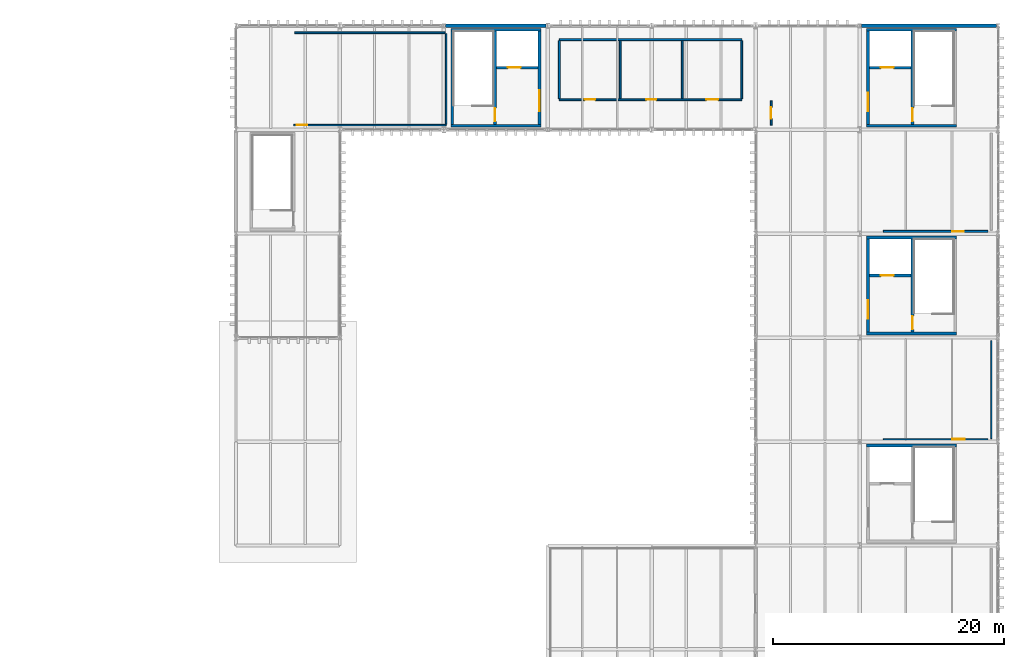
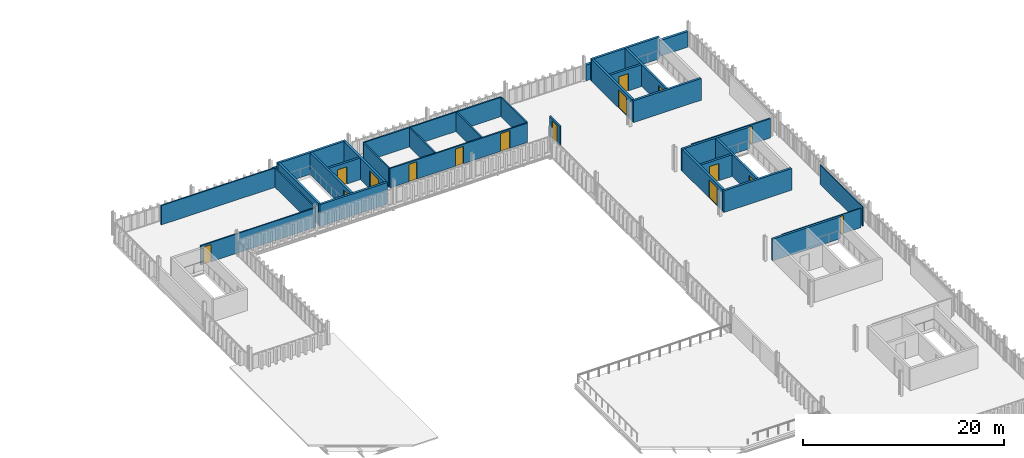
# One storey, part 54 of 58: 32 walls, 16 doors, 16 openings.
"""IFC4 building model written with IfcOpenShell, lengths in metres."""

from ifc_helpers import new_model, si_unit, direction, frame, frame_2d, origin, place, context, subcontext, project, spatial, rectangle, extrude, material, layer, layer_set, type_object, element, fill, save


model = new_model("IFC4")

# Units and contexts
model_context = context("Model", 3, precision=1e-05, world=origin(), true_north=direction((0.0, 1.0)))
body_context = subcontext(model_context, "Body", "Model", "MODEL_VIEW")
ifc_project = project(units=[si_unit("LENGTHUNIT", "METRE"), si_unit("AREAUNIT", "SQUARE_METRE"), si_unit("VOLUMEUNIT", "CUBIC_METRE"), si_unit("PLANEANGLEUNIT", "RADIAN"), si_unit("MASSUNIT", "GRAM", prefix="KILO")], contexts=[model_context])

# Site, building, storey
site_placement = place(None, origin())
site = spatial("IfcSite", under=ifc_project, at=site_placement, CompositionType="ELEMENT")
building_placement = place(site_placement, origin())
building = spatial("IfcBuilding", under=site, at=building_placement, Name="Barlavento Convention Centre", CompositionType="ELEMENT")
storey_placement = place(building_placement, frame((0.0, 0.0, 26.800048828125)))
storey = spatial("IfcBuildingStorey", under=building, at=storey_placement, Name="L05", CompositionType="ELEMENT", Elevation=26.800048828125)

# Walls
ifc_material_1 = material(Name="Glazed white architectural terracotta on Concrete C40/50", Category="masonry")
ifc_layer_1 = layer(ifc_material_1, 0.2900390625)
ifc_layer_set_1 = layer_set([ifc_layer_1], Name="ARC-WL-EXT-290")
wall_type_1 = type_object("IfcWallType", Name="ARC-WL-EXT-290", PredefinedType="SOLIDWALL", material=ifc_layer_set_1)
wall_1_placement = place(storey_placement, frame((144.14501953125, 99.0, 0.0), z_axis=(0.0, 0.0, 1.0), x_axis=(1.0, 0.0, 0.0)))
element("IfcWall", 1, at=wall_1_placement, inside=storey, type_object=wall_type_1, Name="L05 exterior wall EW02", PredefinedType="SOLIDWALL", context=body_context, shape_type="SweptSolid", body=[
    extrude(rectangle(XDim=8.7099609375, YDim=0.2900390625, at=frame_2d((4.35498046875, 0.0))), origin(), (0.0, 0.0, 1.0), 1.89990234375),
])
wall_2_placement = place(storey_placement, frame((180.14501953125, 99.0, 0.0), z_axis=(0.0, 0.0, 1.0), x_axis=(1.0, 0.0, 0.0)))
element("IfcWall", 2, at=wall_2_placement, inside=storey, type_object=wall_type_1, Name="L05 exterior wall EW02", PredefinedType="SOLIDWALL", context=body_context, shape_type="SweptSolid", body=[
    extrude(rectangle(XDim=11.7099609375, YDim=0.2900390625, at=frame_2d((5.85498046875, 0.0))), origin(), (0.0, 0.0, 1.0), 1.89990234375),
])

# Wall, opening, door
ifc_material_2 = material(Name="Glazed office partition", Category="glass")
ifc_layer_2 = layer(ifc_material_2, 0.094970703125)
ifc_layer_set_2 = layer_set([ifc_layer_2], Name="ARC-WL-PART-095")
wall_type_2 = type_object("IfcWallType", Name="ARC-WL-PART-095", PredefinedType="PARTITIONING", material=ifc_layer_set_2)
wall_3_placement = place(storey_placement, frame((182.06005859375, 63.199951171875, 0.0), z_axis=(0.0, 0.0, 1.0), x_axis=(1.0, 0.0, 0.0)))
wall_3 = element("IfcWall", 3, at=wall_3_placement, inside=storey, type_object=wall_type_2, Name="L05 interior wall PT-07", PredefinedType="PARTITIONING", context=body_context, shape_type="SweptSolid", body=[
    extrude(rectangle(XDim=9.0400390625, YDim=0.094970703125, at=frame_2d((4.52001953125, 0.0))), origin(), (0.0, 0.0, 1.0), 2.349853515625),
])
opening_1_placement = place(wall_3_placement, frame((5.949951171875, 0.0, 0.0)))
opening_1 = element("IfcOpeningElement", 4, at=opening_1_placement, cuts=wall_3, Name="Opening ID-06", PredefinedType="OPENING", context=body_context, shape_type="SweptSolid", body=[
    extrude(rectangle(XDim=1.080078125, YDim=2.179931640625, at=frame_2d((0.5400390625, 1.08984375))), frame((0.0, 0.057373046875, 0.0), z_axis=(0.0, -1.0, 0.0), x_axis=(1.0, 0.0, 0.0)), (0.0, 0.0, 1.0), 0.114990234375),
])
ifc_material_3 = material(Name="Timber veneer acoustic core", Category="wood")
door_type_1 = type_object("IfcDoorType", Name="ARC-DR-ROOM-1080X2180", OperationType="NOTDEFINED", PredefinedType="DOOR", material=ifc_material_3)
door_1_placement = place(opening_1_placement, origin())
door_1 = element("IfcDoor", 5, at=door_1_placement, inside=storey, type_object=door_type_1, Name="DR-INT-L05-0244 L05 interior door ID-06", OperationType="SINGLE_SWING_RIGHT", OverallHeight=2.179931640625, OverallWidth=1.080078125, PredefinedType="DOOR", context=body_context, shape_type="SweptSolid", body=[
    extrude(rectangle(XDim=1.080078125, YDim=2.179931640625, at=frame_2d((0.5400390625, 1.08984375))), frame((0.0, 0.02490234375, 0.0), z_axis=(0.0, -1.0, 0.0), x_axis=(1.0, 0.0, 0.0)), (0.0, 0.0, 1.0), 0.050048828125),
])
fill(opening_1, door_1)

# Wall
wall_4_placement = place(storey_placement, frame((191.39990234375, 63.257080078125, 0.0), z_axis=(0.0, 0.0, 1.0), x_axis=(0.0, 1.0, 0.0)))
element("IfcWall", 6, at=wall_4_placement, inside=storey, type_object=wall_type_2, Name="L05 interior wall PT-07", PredefinedType="PARTITIONING", context=body_context, shape_type="SweptSolid", body=[
    extrude(rectangle(XDim=8.48583984375, YDim=0.094970703125, at=frame_2d((4.242919921875, 0.0))), origin(), (0.0, 0.0, 1.0), 2.349853515625),
])

# Wall, opening, door
ifc_material_4 = material(Name="Insulated gypsum partition")
ifc_layer_3 = layer(ifc_material_4, 0.139892578125)
ifc_layer_set_3 = layer_set([ifc_layer_3], Name="ARC-WL-PART-140")
wall_type_3 = type_object("IfcWallType", Name="ARC-WL-PART-140", PredefinedType="PARTITIONING", material=ifc_layer_set_3)
wall_5_placement = place(storey_placement, frame((131.0, 90.39990234375, 0.0), z_axis=(0.0, 0.0, 1.0), x_axis=(1.0, 0.0, 0.0)))
wall_5 = element("IfcWall", 7, at=wall_5_placement, inside=storey, type_object=wall_type_3, Name="L05 interior wall PT-04", PredefinedType="PARTITIONING", context=body_context, shape_type="SweptSolid", body=[
    extrude(rectangle(XDim=13.199951171875, YDim=0.139892578125, at=frame_2d((6.60009765625, 0.0))), origin(), (0.0, 0.0, 1.0), 2.349853515625),
])
opening_2_placement = place(wall_5_placement, frame((0.25, 0.0, 0.0)))
opening_2 = element("IfcOpeningElement", 8, at=opening_2_placement, cuts=wall_5, Name="Opening ID-09", PredefinedType="OPENING", context=body_context, shape_type="SweptSolid", body=[
    extrude(rectangle(XDim=0.93994140625, YDim=2.10009765625, at=frame_2d((0.469970703125, 1.050048828125))), frame((0.0, 0.079833984375, 0.0), z_axis=(0.0, -1.0, 0.0), x_axis=(1.0, 0.0, 0.0)), (0.0, 0.0, 1.0), 0.159912109375),
])
door_type_2 = type_object("IfcDoorType", Name="ARC-DR-ROOM-940X2100", OperationType="NOTDEFINED", PredefinedType="DOOR", material=ifc_material_3)
door_2_placement = place(opening_2_placement, origin())
door_2 = element("IfcDoor", 9, at=door_2_placement, inside=storey, type_object=door_type_2, Name="DR-INT-L05-0243 L05 interior door ID-09", OperationType="SINGLE_SWING_LEFT", OverallHeight=2.10009765625, OverallWidth=0.93994140625, PredefinedType="DOOR", context=body_context, shape_type="SweptSolid", body=[
    extrude(rectangle(XDim=0.93994140625, YDim=2.10009765625, at=frame_2d((0.469970703125, 1.050048828125))), frame((0.0, 0.02490234375, 0.0), z_axis=(0.0, -1.0, 0.0), x_axis=(1.0, 0.0, 0.0)), (0.0, 0.0, 1.0), 0.050048828125),
])
fill(opening_2, door_2)

# Walls
wall_6_placement = place(storey_placement, frame((131.083984375, 98.39990234375, 0.0), z_axis=(0.0, 0.0, 1.0), x_axis=(1.0, 0.0, 0.0)))
element("IfcWall", 10, at=wall_6_placement, inside=storey, type_object=wall_type_3, Name="L05 interior wall PT-04", PredefinedType="PARTITIONING", context=body_context, shape_type="SweptSolid", body=[
    extrude(rectangle(XDim=13.031982421875, YDim=0.139892578125, at=frame_2d((6.51611328125, 0.0))), origin(), (0.0, 0.0, 1.0), 2.349853515625),
])
wall_7_placement = place(storey_placement, frame((144.199951171875, 90.48388671875, 0.0), z_axis=(0.0, 0.0, 1.0), x_axis=(0.0, 1.0, 0.0)))
element("IfcWall", 11, at=wall_7_placement, inside=storey, type_object=wall_type_3, Name="L05 interior wall PT-04", PredefinedType="PARTITIONING", context=body_context, shape_type="SweptSolid", body=[
    extrude(rectangle(XDim=7.83203125, YDim=0.139892578125, at=frame_2d((3.916015625, 0.0))), origin(), (0.0, 0.0, 1.0), 2.349853515625),
])

# Wall, opening, door
ifc_material_5 = material(Name="Metal stud acoustic partition")
ifc_layer_4 = layer(ifc_material_5, 0.155029296875)
ifc_layer_set_4 = layer_set([ifc_layer_4], Name="ARC-WL-PART-155")
wall_type_4 = type_object("IfcWallType", Name="ARC-WL-PART-155", PredefinedType="PARTITIONING", material=ifc_layer_set_4)
wall_8_placement = place(storey_placement, frame((172.340087890625, 90.39990234375, 0.0), z_axis=(0.0, 0.0, 1.0), x_axis=(0.0, 1.0, 0.0)))
wall_8 = element("IfcWall", 12, at=wall_8_placement, inside=storey, type_object=wall_type_4, Name="L05 interior wall PT-03", PredefinedType="PARTITIONING", context=body_context, shape_type="SweptSolid", body=[
    extrude(rectangle(XDim=2.10009765625, YDim=0.155029296875, at=frame_2d((1.050048828125, 0.0))), origin(), (0.0, 0.0, 1.0), 2.349853515625),
])
opening_3_placement = place(wall_8_placement, frame((0.550048828125, 0.0, 0.0)))
opening_3 = element("IfcOpeningElement", 13, at=opening_3_placement, cuts=wall_8, Name="Opening ID-08", PredefinedType="OPENING", context=body_context, shape_type="SweptSolid", body=[
    extrude(rectangle(XDim=0.97998046875, YDim=2.1201171875, at=frame_2d((0.489990234375, 1.06005859375))), frame((0.0, 0.08740234375, 0.0), z_axis=(0.0, -1.0, 0.0), x_axis=(1.0, 0.0, 0.0)), (0.0, 0.0, 1.0), 0.175048828125),
])
door_type_3 = type_object("IfcDoorType", Name="ARC-DR-ROOM-980X2120", OperationType="NOTDEFINED", PredefinedType="DOOR", material=ifc_material_3)
door_3_placement = place(opening_3_placement, origin())
door_3 = element("IfcDoor", 14, at=door_3_placement, inside=storey, type_object=door_type_3, Name="DR-INT-L05-0242 L05 interior door ID-08", OperationType="SINGLE_SWING_RIGHT", OverallHeight=2.1201171875, OverallWidth=0.97998046875, PredefinedType="DOOR", context=body_context, shape_type="SweptSolid", body=[
    extrude(rectangle(XDim=0.97998046875, YDim=2.1201171875, at=frame_2d((0.489990234375, 1.06005859375))), frame((0.0, 0.02490234375, 0.0), z_axis=(0.0, -1.0, 0.0), x_axis=(1.0, 0.0, 0.0)), (0.0, 0.0, 1.0), 0.050048828125),
])
fill(opening_3, door_3)

ifc_material_6 = material(Name="Fire-rated gypsum partition")
ifc_layer_5 = layer(ifc_material_6, 0.169921875)
ifc_layer_set_5 = layer_set([ifc_layer_5], Name="ARC-WL-PART-170")
wall_type_5 = type_object("IfcWallType", Name="ARC-WL-PART-170", PredefinedType="PARTITIONING", material=ifc_layer_set_5)
wall_9_placement = place(storey_placement, frame((182.06005859375, 81.199951171875, 0.0), z_axis=(0.0, 0.0, 1.0), x_axis=(1.0, 0.0, 0.0)))
wall_9 = element("IfcWall", 15, at=wall_9_placement, inside=storey, type_object=wall_type_5, Name="L05 interior wall PT-02", PredefinedType="PARTITIONING", context=body_context, shape_type="SweptSolid", body=[
    extrude(rectangle(XDim=9.0400390625, YDim=0.169921875, at=frame_2d((4.52001953125, 0.0))), origin(), (0.0, 0.0, 1.0), 2.349853515625),
])
opening_4_placement = place(wall_9_placement, frame((5.949951171875, 0.0, 0.0)))
opening_4 = element("IfcOpeningElement", 16, at=opening_4_placement, cuts=wall_9, Name="Opening ID-07", PredefinedType="OPENING", context=body_context, shape_type="SweptSolid", body=[
    extrude(rectangle(XDim=1.02001953125, YDim=2.14990234375, at=frame_2d((0.510009765625, 1.074951171875))), frame((0.0, 0.094970703125, 0.0), z_axis=(0.0, -1.0, 0.0), x_axis=(1.0, 0.0, 0.0)), (0.0, 0.0, 1.0), 0.18994140625),
])
door_type_4 = type_object("IfcDoorType", Name="ARC-DR-ROOM-1020X2150", OperationType="NOTDEFINED", PredefinedType="DOOR", material=ifc_material_3)
door_4_placement = place(opening_4_placement, origin())
door_4 = element("IfcDoor", 17, at=door_4_placement, inside=storey, type_object=door_type_4, Name="DR-INT-L05-0245 L05 interior door ID-07", OperationType="SINGLE_SWING_LEFT", OverallHeight=2.14990234375, OverallWidth=1.02001953125, PredefinedType="DOOR", context=body_context, shape_type="SweptSolid", body=[
    extrude(rectangle(XDim=1.02001953125, YDim=2.14990234375, at=frame_2d((0.510009765625, 1.074951171875))), frame((0.0, 0.02490234375, 0.0), z_axis=(0.0, -1.0, 0.0), x_axis=(1.0, 0.0, 0.0)), (0.0, 0.0, 1.0), 0.050048828125),
])
fill(opening_4, door_4)

# Wall, openings, doors
ifc_material_7 = material(Name="Sanitary service chase plumbing wall")
ifc_layer_6 = layer(ifc_material_7, 0.159912109375)
ifc_layer_set_6 = layer_set([ifc_layer_6], Name="ARC-WL-PLMB-160")
wall_type_6 = type_object("IfcWallType", Name="ARC-WL-PLMB-160", PredefinedType="PLUMBINGWALL", material=ifc_layer_set_6)
wall_10_placement = place(storey_placement, frame((154.0, 92.60009765625, 0.0), z_axis=(0.0, 0.0, 1.0), x_axis=(1.0, 0.0, 0.0)))
wall_10 = element("IfcWall", 18, at=wall_10_placement, inside=storey, type_object=wall_type_6, Name="L05 interior wall PW-03", PredefinedType="PLUMBINGWALL", context=body_context, shape_type="SweptSolid", body=[
    extrude(rectangle(XDim=15.800048828125, YDim=0.159912109375, at=frame_2d((7.89990234375, 0.0))), origin(), (0.0, 0.0, 1.0), 2.349853515625),
])
opening_5_placement = place(wall_10_placement, frame((2.18994140625, 0.0, 0.0)))
opening_5 = element("IfcOpeningElement", 19, at=opening_5_placement, cuts=wall_10, Name="Opening ID-10", PredefinedType="OPENING", context=body_context, shape_type="SweptSolid", body=[
    extrude(rectangle(XDim=0.89990234375, YDim=2.10009765625, at=frame_2d((0.449951171875, 1.050048828125))), frame((0.0, 0.08984375, 0.0), z_axis=(0.0, -1.0, 0.0), x_axis=(1.0, 0.0, 0.0)), (0.0, 0.0, 1.0), 0.179931640625),
])
opening_6_placement = place(wall_10_placement, frame((7.510009765625, 0.0, 0.0)))
opening_6 = element("IfcOpeningElement", 20, at=opening_6_placement, cuts=wall_10, Name="Opening ID-10", PredefinedType="OPENING", context=body_context, shape_type="SweptSolid", body=[
    extrude(rectangle(XDim=0.89990234375, YDim=2.10009765625, at=frame_2d((0.449951171875, 1.050048828125))), frame((0.0, 0.08984375, 0.0), z_axis=(0.0, -1.0, 0.0), x_axis=(1.0, 0.0, 0.0)), (0.0, 0.0, 1.0), 0.179931640625),
])
opening_7_placement = place(wall_10_placement, frame((12.699951171875, 0.0, 0.0)))
opening_7 = element("IfcOpeningElement", 21, at=opening_7_placement, cuts=wall_10, Name="Opening ID-11", PredefinedType="OPENING", context=body_context, shape_type="SweptSolid", body=[
    extrude(rectangle(XDim=1.0400390625, YDim=2.14990234375, at=frame_2d((0.52001953125, 1.074951171875))), frame((0.0, 0.08984375, 0.0), z_axis=(0.0, -1.0, 0.0), x_axis=(1.0, 0.0, 0.0)), (0.0, 0.0, 1.0), 0.179931640625),
])
door_type_5 = type_object("IfcDoorType", Name="ARC-DR-AWC-1040X2150", OperationType="NOTDEFINED", PredefinedType="DOOR", material=ifc_material_3)
door_5_placement = place(opening_7_placement, origin())
door_5 = element("IfcDoor", 22, at=door_5_placement, inside=storey, type_object=door_type_5, Name="DR-INT-L05-0204 L05 Accessible Executive WC entry door", OperationType="SINGLE_SWING_RIGHT", OverallHeight=2.14990234375, OverallWidth=1.0400390625, PredefinedType="DOOR", context=body_context, shape_type="SweptSolid", body=[
    extrude(rectangle(XDim=1.0400390625, YDim=2.14990234375, at=frame_2d((0.52001953125, 1.074951171875))), frame((0.0, 0.02490234375, 0.0), z_axis=(0.0, -1.0, 0.0), x_axis=(1.0, 0.0, 0.0)), (0.0, 0.0, 1.0), 0.050048828125),
])
fill(opening_7, door_5)
door_type_6 = type_object("IfcDoorType", Name="ARC-DR-WC-900X2100", OperationType="NOTDEFINED", PredefinedType="DOOR", material=ifc_material_3)
door_6_placement = place(opening_5_placement, origin())
door_6 = element("IfcDoor", 23, at=door_6_placement, inside=storey, type_object=door_type_6, Name="DR-INT-L05-0202 L05 Male Executive WC entry door", OperationType="SINGLE_SWING_RIGHT", OverallHeight=2.10009765625, OverallWidth=0.89990234375, PredefinedType="DOOR", context=body_context, shape_type="SweptSolid", body=[
    extrude(rectangle(XDim=0.89990234375, YDim=2.10009765625, at=frame_2d((0.449951171875, 1.050048828125))), frame((0.0, 0.02490234375, 0.0), z_axis=(0.0, -1.0, 0.0), x_axis=(1.0, 0.0, 0.0)), (0.0, 0.0, 1.0), 0.050048828125),
])
fill(opening_5, door_6)
door_7_placement = place(opening_6_placement, origin())
door_7 = element("IfcDoor", 24, at=door_7_placement, inside=storey, type_object=door_type_6, Name="DR-INT-L05-0203 L05 Female Executive WC entry door", OperationType="SINGLE_SWING_LEFT", OverallHeight=2.10009765625, OverallWidth=0.89990234375, PredefinedType="DOOR", context=body_context, shape_type="SweptSolid", body=[
    extrude(rectangle(XDim=0.89990234375, YDim=2.10009765625, at=frame_2d((0.449951171875, 1.050048828125))), frame((0.0, 0.02490234375, 0.0), z_axis=(0.0, -1.0, 0.0), x_axis=(1.0, 0.0, 0.0)), (0.0, 0.0, 1.0), 0.050048828125),
])
fill(opening_6, door_7)

# Walls
wall_11_placement = place(storey_placement, frame((154.0, 97.800048828125, 0.0), z_axis=(0.0, 0.0, 1.0), x_axis=(1.0, 0.0, 0.0)))
element("IfcWall", 25, at=wall_11_placement, inside=storey, type_object=wall_type_6, Name="L05 interior wall PW-03", PredefinedType="PLUMBINGWALL", context=body_context, shape_type="SweptSolid", body=[
    extrude(rectangle(XDim=15.800048828125, YDim=0.159912109375, at=frame_2d((7.89990234375, 0.0))), origin(), (0.0, 0.0, 1.0), 2.349853515625),
])
for number, where, z_axis, x_axis, name in (
    (26, (154.0, 92.68798828125, 0.0), (0.0, 0.0, 1.0), (0.0, 1.0, 0.0), "L05 interior wall PW-03"),
    (27, (159.280029296875, 92.68798828125, 0.0), (0.0, 0.0, 1.0), (0.0, 1.0, 0.0), "L05 interior wall PW-03"),
    (28, (164.639892578125, 92.68798828125, 0.0), (0.0, 0.0, 1.0), (0.0, 1.0, 0.0), "L05 interior wall PW-03"),
    (29, (169.800048828125, 92.68798828125, 0.0), (0.0, 0.0, 1.0), (0.0, 1.0, 0.0), "L05 interior wall PW-03"),
):
    element("IfcWall", number, at=place(storey_placement, frame(where, z_axis=z_axis, x_axis=x_axis)), inside=storey, type_object=wall_type_6, Name=name, PredefinedType="PLUMBINGWALL", context=body_context, shape_type="SweptSolid", body=[
        extrude(rectangle(XDim=5.02392578125, YDim=0.159912109375, at=frame_2d((2.511962890625, 0.0))), origin(), (0.0, 0.0, 1.0), 2.349853515625),
    ])
ifc_material_8 = material(Name="Concrete C50/60", Category="concrete")
ifc_layer_7 = layer(ifc_material_8, 0.25)
ifc_layer_set_7 = layer_set([ifc_layer_7], Name="STR-WL-CORE-250")
wall_type_7 = type_object("IfcWallType", Name="STR-WL-CORE-250", PredefinedType="SHEAR", material=ifc_layer_set_7)
wall_12_placement = place(storey_placement, frame((180.60009765625, 62.655029296875, 0.0), z_axis=(0.0, 0.0, 1.0), x_axis=(1.0, 0.0, 0.0)))
element("IfcWall", 30, at=wall_12_placement, inside=storey, type_object=wall_type_7, Name="L05 interior wall CW-02", PredefinedType="SHEAR", context=body_context, shape_type="SweptSolid", body=[
    extrude(rectangle(XDim=7.7998046875, YDim=0.25, at=frame_2d((3.89990234375, 0.0))), origin(), (0.0, 0.0, 1.0), 2.639892578125),
])

# Wall, opening, door
wall_13_placement = place(storey_placement, frame((180.72509765625, 72.469970703125, 0.0), z_axis=(0.0, 0.0, 1.0), x_axis=(0.0, 1.0, 0.0)))
wall_13 = element("IfcWall", 31, at=wall_13_placement, inside=storey, type_object=wall_type_7, Name="L05 interior wall CW-02", PredefinedType="SHEAR", context=body_context, shape_type="SweptSolid", body=[
    extrude(rectangle(XDim=8.06005859375, YDim=0.25, at=frame_2d((4.030029296875, 0.0))), origin(), (0.0, 0.0, 1.0), 2.639892578125),
])
opening_8_placement = place(wall_13_placement, frame((1.14990234375, 0.0, 0.0)))
opening_8 = element("IfcOpeningElement", 32, at=opening_8_placement, cuts=wall_13, Name="Opening FD-02", PredefinedType="OPENING", context=body_context, shape_type="SweptSolid", body=[
    extrude(rectangle(XDim=1.60009765625, YDim=2.199951171875, at=frame_2d((0.800048828125, 1.10009765625))), frame((0.0, 0.135009765625, 0.0), z_axis=(0.0, -1.0, 0.0), x_axis=(1.0, 0.0, 0.0)), (0.0, 0.0, 1.0), 0.27001953125),
])
ifc_material_9 = material(Name="Painted galvanized steel", Category="steel")
door_type_7 = type_object("IfcDoorType", Name="ARC-DR-FIRE-1600X2200", OperationType="DOUBLE_DOOR_SINGLE_SWING", PredefinedType="DOOR", material=ifc_material_9)
door_8_placement = place(opening_8_placement, origin())
door_8 = element("IfcDoor", 33, at=door_8_placement, inside=storey, type_object=door_type_7, Name="DR-INT-L05-0117 L05 LP5 lobby fire door", OperationType="DOUBLE_DOOR_SINGLE_SWING", OverallHeight=2.199951171875, OverallWidth=1.60009765625, PredefinedType="DOOR", context=body_context, shape_type="SweptSolid", body=[
    extrude(rectangle(XDim=1.60009765625, YDim=2.199951171875, at=frame_2d((0.800048828125, 1.10009765625))), frame((0.0, 0.02490234375, 0.0), z_axis=(0.0, -1.0, 0.0), x_axis=(1.0, 0.0, 0.0)), (0.0, 0.0, 1.0), 0.050048828125),
])
fill(opening_8, door_8)

# Walls
for number, where, z_axis, x_axis, name in (
    (34, (180.60009765625, 72.344970703125, 0.0), (0.0, 0.0, 1.0), (1.0, 0.0, 0.0), "L05 interior wall CW-02"),
    (35, (180.60009765625, 80.655029296875, 0.0), (0.0, 0.0, 1.0), (1.0, 0.0, 0.0), "L05 interior wall CW-02"),
):
    element("IfcWall", number, at=place(storey_placement, frame(where, z_axis=z_axis, x_axis=x_axis)), inside=storey, type_object=wall_type_7, Name=name, PredefinedType="SHEAR", context=body_context, shape_type="SweptSolid", body=[
        extrude(rectangle(XDim=7.7998046875, YDim=0.25, at=frame_2d((3.89990234375, 0.0))), origin(), (0.0, 0.0, 1.0), 2.639892578125),
    ])

# Wall, opening, door
wall_14_placement = place(storey_placement, frame((184.5849609375, 72.469970703125, 0.0), z_axis=(0.0, 0.0, 1.0), x_axis=(0.0, 1.0, 0.0)))
wall_14 = element("IfcWall", 36, at=wall_14_placement, inside=storey, type_object=wall_type_7, Name="L05 interior wall CW-02", PredefinedType="SHEAR", context=body_context, shape_type="SweptSolid", body=[
    extrude(rectangle(XDim=8.06005859375, YDim=0.25, at=frame_2d((4.030029296875, 0.0))), origin(), (0.0, 0.0, 1.0), 2.639892578125),
])
opening_9_placement = place(wall_14_placement, frame((0.25, 0.0, 0.0)))
opening_9 = element("IfcOpeningElement", 37, at=opening_9_placement, cuts=wall_14, Name="Opening FD-03", PredefinedType="OPENING", context=body_context, shape_type="SweptSolid", body=[
    extrude(rectangle(XDim=1.14990234375, YDim=2.14990234375, at=frame_2d((0.574951171875, 1.074951171875))), frame((0.0, 0.135009765625, 0.0), z_axis=(0.0, -1.0, 0.0), x_axis=(1.0, 0.0, 0.0)), (0.0, 0.0, 1.0), 0.27001953125),
])
door_type_8 = type_object("IfcDoorType", Name="ARC-DR-FIRE-1150X2150", OperationType="NOTDEFINED", PredefinedType="DOOR", material=ifc_material_9)
door_9_placement = place(opening_9_placement, origin())
door_9 = element("IfcDoor", 38, at=door_9_placement, inside=storey, type_object=door_type_8, Name="DR-INT-L05-0115 L05 ST07 stair fire door FD-03", OperationType="SINGLE_SWING_LEFT", OverallHeight=2.14990234375, OverallWidth=1.14990234375, PredefinedType="DOOR", context=body_context, shape_type="SweptSolid", body=[
    extrude(rectangle(XDim=1.14990234375, YDim=2.14990234375, at=frame_2d((0.574951171875, 1.074951171875))), frame((0.0, 0.02490234375, 0.0), z_axis=(0.0, -1.0, 0.0), x_axis=(1.0, 0.0, 0.0)), (0.0, 0.0, 1.0), 0.050048828125),
])
fill(opening_9, door_9)

wall_15_placement = place(storey_placement, frame((180.85009765625, 77.3701171875, 0.0), z_axis=(0.0, 0.0, 1.0), x_axis=(1.0, 0.0, 0.0)))
wall_15 = element("IfcWall", 39, at=wall_15_placement, inside=storey, type_object=wall_type_7, Name="L05 interior wall CW-02", PredefinedType="SHEAR", context=body_context, shape_type="SweptSolid", body=[
    extrude(rectangle(XDim=3.60986328125, YDim=0.25, at=frame_2d((1.804931640625, 0.0))), origin(), (0.0, 0.0, 1.0), 2.639892578125),
])
opening_10_placement = place(wall_15_placement, frame((1.0, 0.0, 0.0)))
opening_10 = element("IfcOpeningElement", 40, at=opening_10_placement, cuts=wall_15, Name="Opening LD-02", PredefinedType="OPENING", context=body_context, shape_type="SweptSolid", body=[
    extrude(rectangle(XDim=1.10009765625, YDim=2.10009765625, at=frame_2d((0.550048828125, 1.050048828125))), frame((0.0, 0.135009765625, 0.0), z_axis=(0.0, -1.0, 0.0), x_axis=(1.0, 0.0, 0.0)), (0.0, 0.0, 1.0), 0.27001953125),
])
ifc_material_10 = material(Name="Brushed stainless steel", Category="steel")
door_type_9 = type_object("IfcDoorType", Name="ARC-DR-LIFT-1100X2100", OperationType="DOUBLE_DOOR_SLIDING", PredefinedType="DOOR", material=ifc_material_10)
door_10_placement = place(opening_10_placement, origin())
door_10 = element("IfcDoor", 41, at=door_10_placement, inside=storey, type_object=door_type_9, Name="DR-INT-L05-0116 LP5 lift sliding landing door", OperationType="DOUBLE_DOOR_SLIDING", OverallHeight=2.10009765625, OverallWidth=1.10009765625, PredefinedType="DOOR", context=body_context, shape_type="SweptSolid", body=[
    extrude(rectangle(XDim=1.10009765625, YDim=2.10009765625, at=frame_2d((0.550048828125, 1.050048828125))), frame((0.0, 0.02490234375, 0.0), z_axis=(0.0, -1.0, 0.0), x_axis=(1.0, 0.0, 0.0)), (0.0, 0.0, 1.0), 0.050048828125),
])
fill(opening_10, door_10)

wall_16_placement = place(storey_placement, frame((180.72509765625, 90.469970703125, 0.0), z_axis=(0.0, 0.0, 1.0), x_axis=(0.0, 1.0, 0.0)))
wall_16 = element("IfcWall", 42, at=wall_16_placement, inside=storey, type_object=wall_type_7, Name="L05 interior wall CW-02", PredefinedType="SHEAR", context=body_context, shape_type="SweptSolid", body=[
    extrude(rectangle(XDim=8.06005859375, YDim=0.25, at=frame_2d((4.030029296875, 0.0))), origin(), (0.0, 0.0, 1.0), 2.639892578125),
])
opening_11_placement = place(wall_16_placement, frame((1.14990234375, 0.0, 0.0)))
opening_11 = element("IfcOpeningElement", 43, at=opening_11_placement, cuts=wall_16, Name="Opening FD-02", PredefinedType="OPENING", context=body_context, shape_type="SweptSolid", body=[
    extrude(rectangle(XDim=1.60009765625, YDim=2.199951171875, at=frame_2d((0.800048828125, 1.10009765625))), frame((0.0, 0.135009765625, 0.0), z_axis=(0.0, -1.0, 0.0), x_axis=(1.0, 0.0, 0.0)), (0.0, 0.0, 1.0), 0.27001953125),
])
door_11_placement = place(opening_11_placement, origin())
door_11 = element("IfcDoor", 44, at=door_11_placement, inside=storey, type_object=door_type_7, Name="DR-INT-L05-0138 L05 LP6 lobby fire door", OperationType="DOUBLE_DOOR_SINGLE_SWING", OverallHeight=2.199951171875, OverallWidth=1.60009765625, PredefinedType="DOOR", context=body_context, shape_type="SweptSolid", body=[
    extrude(rectangle(XDim=1.60009765625, YDim=2.199951171875, at=frame_2d((0.800048828125, 1.10009765625))), frame((0.0, 0.02490234375, 0.0), z_axis=(0.0, -1.0, 0.0), x_axis=(1.0, 0.0, 0.0)), (0.0, 0.0, 1.0), 0.050048828125),
])
fill(opening_11, door_11)

# Walls
for number, where, z_axis, x_axis, name in (
    (45, (180.60009765625, 90.344970703125, 0.0), (0.0, 0.0, 1.0), (1.0, 0.0, 0.0), "L05 interior wall CW-02"),
    (46, (180.60009765625, 98.655029296875, 0.0), (0.0, 0.0, 1.0), (1.0, 0.0, 0.0), "L05 interior wall CW-02"),
):
    element("IfcWall", number, at=place(storey_placement, frame(where, z_axis=z_axis, x_axis=x_axis)), inside=storey, type_object=wall_type_7, Name=name, PredefinedType="SHEAR", context=body_context, shape_type="SweptSolid", body=[
        extrude(rectangle(XDim=7.7998046875, YDim=0.25, at=frame_2d((3.89990234375, 0.0))), origin(), (0.0, 0.0, 1.0), 2.639892578125),
    ])

# Wall, opening, door
wall_17_placement = place(storey_placement, frame((184.5849609375, 90.469970703125, 0.0), z_axis=(0.0, 0.0, 1.0), x_axis=(0.0, 1.0, 0.0)))
wall_17 = element("IfcWall", 47, at=wall_17_placement, inside=storey, type_object=wall_type_7, Name="L05 interior wall CW-02", PredefinedType="SHEAR", context=body_context, shape_type="SweptSolid", body=[
    extrude(rectangle(XDim=8.06005859375, YDim=0.25, at=frame_2d((4.030029296875, 0.0))), origin(), (0.0, 0.0, 1.0), 2.639892578125),
])
opening_12_placement = place(wall_17_placement, frame((0.25, 0.0, 0.0)))
opening_12 = element("IfcOpeningElement", 48, at=opening_12_placement, cuts=wall_17, Name="Opening FD-03", PredefinedType="OPENING", context=body_context, shape_type="SweptSolid", body=[
    extrude(rectangle(XDim=1.14990234375, YDim=2.14990234375, at=frame_2d((0.574951171875, 1.074951171875))), frame((0.0, 0.135009765625, 0.0), z_axis=(0.0, -1.0, 0.0), x_axis=(1.0, 0.0, 0.0)), (0.0, 0.0, 1.0), 0.27001953125),
])
door_12_placement = place(opening_12_placement, origin())
door_12 = element("IfcDoor", 49, at=door_12_placement, inside=storey, type_object=door_type_8, Name="DR-INT-L05-0136 L05 ST08 stair fire door FD-03", OperationType="SINGLE_SWING_RIGHT", OverallHeight=2.14990234375, OverallWidth=1.14990234375, PredefinedType="DOOR", context=body_context, shape_type="SweptSolid", body=[
    extrude(rectangle(XDim=1.14990234375, YDim=2.14990234375, at=frame_2d((0.574951171875, 1.074951171875))), frame((0.0, 0.02490234375, 0.0), z_axis=(0.0, -1.0, 0.0), x_axis=(1.0, 0.0, 0.0)), (0.0, 0.0, 1.0), 0.050048828125),
])
fill(opening_12, door_12)

wall_18_placement = place(storey_placement, frame((180.85009765625, 95.3701171875, 0.0), z_axis=(0.0, 0.0, 1.0), x_axis=(1.0, 0.0, 0.0)))
wall_18 = element("IfcWall", 50, at=wall_18_placement, inside=storey, type_object=wall_type_7, Name="L05 interior wall CW-02", PredefinedType="SHEAR", context=body_context, shape_type="SweptSolid", body=[
    extrude(rectangle(XDim=3.60986328125, YDim=0.25, at=frame_2d((1.804931640625, 0.0))), origin(), (0.0, 0.0, 1.0), 2.639892578125),
])
opening_13_placement = place(wall_18_placement, frame((1.0, 0.0, 0.0)))
opening_13 = element("IfcOpeningElement", 51, at=opening_13_placement, cuts=wall_18, Name="Opening LD-02", PredefinedType="OPENING", context=body_context, shape_type="SweptSolid", body=[
    extrude(rectangle(XDim=1.10009765625, YDim=2.10009765625, at=frame_2d((0.550048828125, 1.050048828125))), frame((0.0, 0.135009765625, 0.0), z_axis=(0.0, -1.0, 0.0), x_axis=(1.0, 0.0, 0.0)), (0.0, 0.0, 1.0), 0.27001953125),
])
door_13_placement = place(opening_13_placement, origin())
door_13 = element("IfcDoor", 52, at=door_13_placement, inside=storey, type_object=door_type_9, Name="DR-INT-L05-0137 LP6 lift sliding landing door", OperationType="DOUBLE_DOOR_SLIDING", OverallHeight=2.10009765625, OverallWidth=1.10009765625, PredefinedType="DOOR", context=body_context, shape_type="SweptSolid", body=[
    extrude(rectangle(XDim=1.10009765625, YDim=2.10009765625, at=frame_2d((0.550048828125, 1.050048828125))), frame((0.0, 0.02490234375, 0.0), z_axis=(0.0, -1.0, 0.0), x_axis=(1.0, 0.0, 0.0)), (0.0, 0.0, 1.0), 0.050048828125),
])
fill(opening_13, door_13)

# Wall
wall_19_placement = place(storey_placement, frame((144.72509765625, 90.469970703125, 0.0), z_axis=(0.0, 0.0, 1.0), x_axis=(0.0, 1.0, 0.0)))
element("IfcWall", 53, at=wall_19_placement, inside=storey, type_object=wall_type_7, Name="L05 interior wall CW-02", PredefinedType="SHEAR", context=body_context, shape_type="SweptSolid", body=[
    extrude(rectangle(XDim=8.06005859375, YDim=0.25, at=frame_2d((4.030029296875, 0.0))), origin(), (0.0, 0.0, 1.0), 2.639892578125),
])

# Wall, opening, door
wall_20_placement = place(storey_placement, frame((152.27490234375, 90.469970703125, 0.0), z_axis=(0.0, 0.0, 1.0), x_axis=(0.0, 1.0, 0.0)))
wall_20 = element("IfcWall", 54, at=wall_20_placement, inside=storey, type_object=wall_type_7, Name="L05 interior wall CW-02", PredefinedType="SHEAR", context=body_context, shape_type="SweptSolid", body=[
    extrude(rectangle(XDim=8.06005859375, YDim=0.25, at=frame_2d((4.030029296875, 0.0))), origin(), (0.0, 0.0, 1.0), 2.639892578125),
])
opening_14_placement = place(wall_20_placement, frame((1.14990234375, 0.0, 0.0)))
opening_14 = element("IfcOpeningElement", 55, at=opening_14_placement, cuts=wall_20, Name="Opening FD-01", PredefinedType="OPENING", context=body_context, shape_type="SweptSolid", body=[
    extrude(rectangle(XDim=1.800048828125, YDim=2.199951171875, at=frame_2d((0.89990234375, 1.10009765625))), frame((0.0, 0.135009765625, 0.0), z_axis=(0.0, -1.0, 0.0), x_axis=(1.0, 0.0, 0.0)), (0.0, 0.0, 1.0), 0.27001953125),
])
door_type_10 = type_object("IfcDoorType", Name="ARC-DR-FIRE-1800X2200", OperationType="DOUBLE_DOOR_SINGLE_SWING", PredefinedType="DOOR", material=ifc_material_9)
door_14_placement = place(opening_14_placement, origin())
door_14 = element("IfcDoor", 56, at=door_14_placement, inside=storey, type_object=door_type_10, Name="DR-INT-L05-0159 L05 FL1 lobby fire door", OperationType="DOUBLE_DOOR_SINGLE_SWING", OverallHeight=2.199951171875, OverallWidth=1.800048828125, PredefinedType="DOOR", context=body_context, shape_type="SweptSolid", body=[
    extrude(rectangle(XDim=1.800048828125, YDim=2.199951171875, at=frame_2d((0.89990234375, 1.10009765625))), frame((0.0, 0.02490234375, 0.0), z_axis=(0.0, -1.0, 0.0), x_axis=(1.0, 0.0, 0.0)), (0.0, 0.0, 1.0), 0.050048828125),
])
fill(opening_14, door_14)

# Walls
for number, where, z_axis, x_axis, name in (
    (57, (144.60009765625, 90.344970703125, 0.0), (0.0, 0.0, 1.0), (1.0, 0.0, 0.0), "L05 interior wall CW-02"),
    (58, (144.60009765625, 98.655029296875, 0.0), (0.0, 0.0, 1.0), (1.0, 0.0, 0.0), "L05 interior wall CW-02"),
):
    element("IfcWall", number, at=place(storey_placement, frame(where, z_axis=z_axis, x_axis=x_axis)), inside=storey, type_object=wall_type_7, Name=name, PredefinedType="SHEAR", context=body_context, shape_type="SweptSolid", body=[
        extrude(rectangle(XDim=7.7998046875, YDim=0.25, at=frame_2d((3.89990234375, 0.0))), origin(), (0.0, 0.0, 1.0), 2.639892578125),
    ])

# Wall, opening, door
wall_21_placement = place(storey_placement, frame((148.4150390625, 90.469970703125, 0.0), z_axis=(0.0, 0.0, 1.0), x_axis=(0.0, 1.0, 0.0)))
wall_21 = element("IfcWall", 59, at=wall_21_placement, inside=storey, type_object=wall_type_7, Name="L05 interior wall CW-02", PredefinedType="SHEAR", context=body_context, shape_type="SweptSolid", body=[
    extrude(rectangle(XDim=8.06005859375, YDim=0.25, at=frame_2d((4.030029296875, 0.0))), origin(), (0.0, 0.0, 1.0), 2.639892578125),
])
opening_15_placement = place(wall_21_placement, frame((0.25, 0.0, 0.0)))
opening_15 = element("IfcOpeningElement", 60, at=opening_15_placement, cuts=wall_21, Name="Opening FD-03", PredefinedType="OPENING", context=body_context, shape_type="SweptSolid", body=[
    extrude(rectangle(XDim=1.14990234375, YDim=2.14990234375, at=frame_2d((0.574951171875, 1.074951171875))), frame((0.0, 0.135009765625, 0.0), z_axis=(0.0, -1.0, 0.0), x_axis=(1.0, 0.0, 0.0)), (0.0, 0.0, 1.0), 0.27001953125),
])
door_15_placement = place(opening_15_placement, origin())
door_15 = element("IfcDoor", 61, at=door_15_placement, inside=storey, type_object=door_type_8, Name="DR-INT-L05-0157 L05 ST09 stair fire door FD-03", OperationType="SINGLE_SWING_LEFT", OverallHeight=2.14990234375, OverallWidth=1.14990234375, PredefinedType="DOOR", context=body_context, shape_type="SweptSolid", body=[
    extrude(rectangle(XDim=1.14990234375, YDim=2.14990234375, at=frame_2d((0.574951171875, 1.074951171875))), frame((0.0, 0.02490234375, 0.0), z_axis=(0.0, -1.0, 0.0), x_axis=(1.0, 0.0, 0.0)), (0.0, 0.0, 1.0), 0.050048828125),
])
fill(opening_15, door_15)

wall_22_placement = place(storey_placement, frame((148.5400390625, 95.3701171875, 0.0), z_axis=(0.0, 0.0, 1.0), x_axis=(1.0, 0.0, 0.0)))
wall_22 = element("IfcWall", 62, at=wall_22_placement, inside=storey, type_object=wall_type_7, Name="L05 interior wall CW-02", PredefinedType="SHEAR", context=body_context, shape_type="SweptSolid", body=[
    extrude(rectangle(XDim=3.60986328125, YDim=0.25, at=frame_2d((1.804931640625, 0.0))), origin(), (0.0, 0.0, 1.0), 2.639892578125),
])
opening_16_placement = place(wall_22_placement, frame((1.0, 0.0, 0.0)))
opening_16 = element("IfcOpeningElement", 63, at=opening_16_placement, cuts=wall_22, Name="Opening LD-02", PredefinedType="OPENING", context=body_context, shape_type="SweptSolid", body=[
    extrude(rectangle(XDim=1.10009765625, YDim=2.10009765625, at=frame_2d((0.550048828125, 1.050048828125))), frame((0.0, 0.135009765625, 0.0), z_axis=(0.0, -1.0, 0.0), x_axis=(1.0, 0.0, 0.0)), (0.0, 0.0, 1.0), 0.27001953125),
])
door_16_placement = place(opening_16_placement, origin())
door_16 = element("IfcDoor", 64, at=door_16_placement, inside=storey, type_object=door_type_9, Name="DR-INT-L05-0158 FL1 lift sliding landing door", OperationType="DOUBLE_DOOR_SLIDING", OverallHeight=2.10009765625, OverallWidth=1.10009765625, PredefinedType="DOOR", context=body_context, shape_type="SweptSolid", body=[
    extrude(rectangle(XDim=1.10009765625, YDim=2.10009765625, at=frame_2d((0.550048828125, 1.050048828125))), frame((0.0, 0.02490234375, 0.0), z_axis=(0.0, -1.0, 0.0), x_axis=(1.0, 0.0, 0.0)), (0.0, 0.0, 1.0), 0.050048828125),
])
fill(opening_16, door_16)

save(model, "model.ifc")
